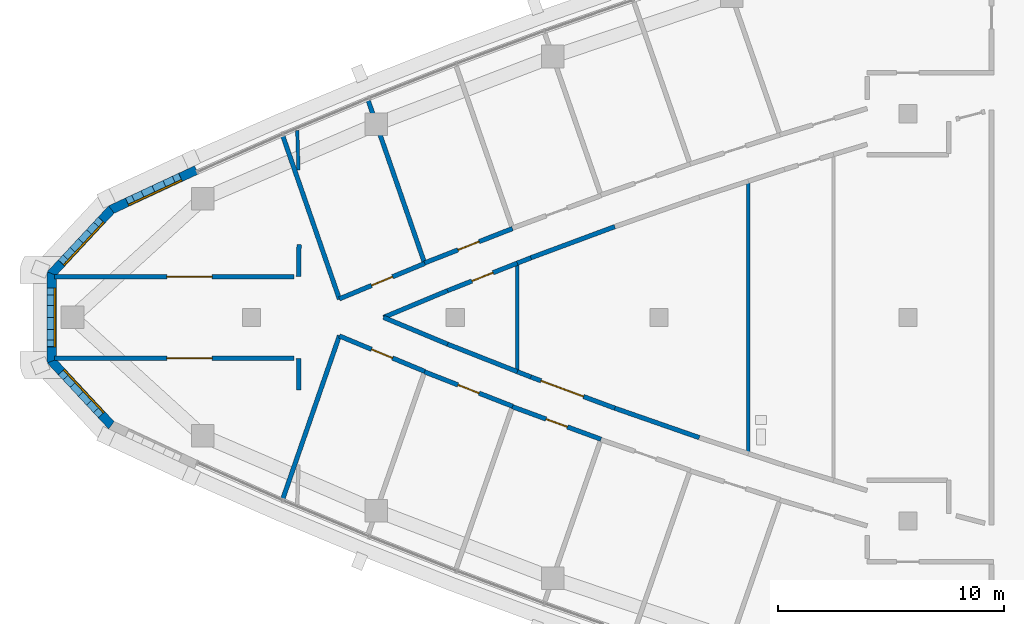
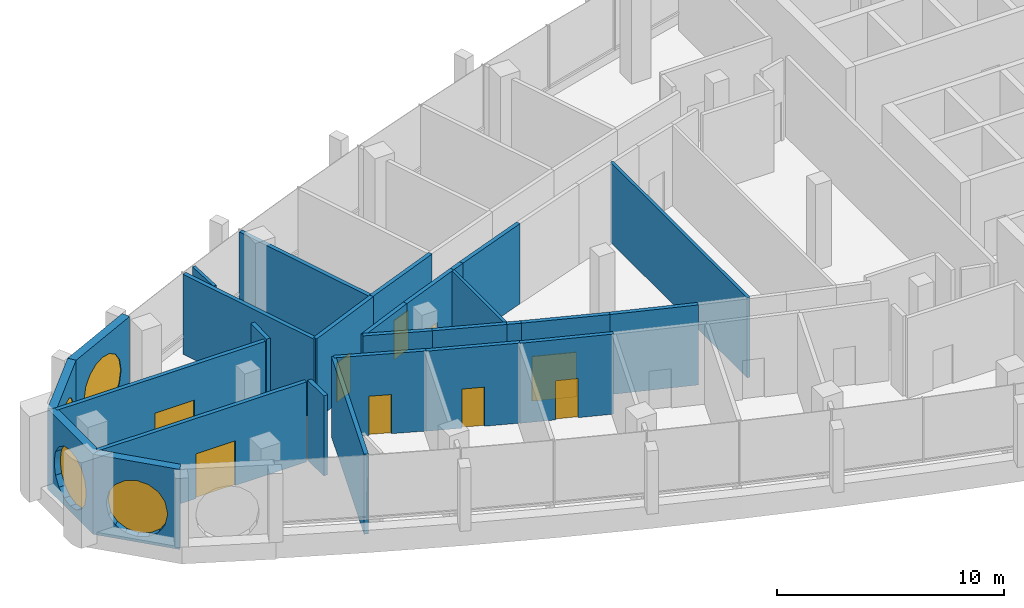
# One storey, part 7 of 15: 28 walls, 9 doors, 4 windows, 13 openings.
"""IFC4 building model written with IfcOpenShell, lengths in metres."""

from ifc_helpers import new_model, si_unit, direction, frame, frame_2d, origin, place, context, subcontext, project, spatial, polyline, rectangle, outline, extrude, material, layer, layer_set, type_object, element, fill, save


model = new_model("IFC4")

# Units and contexts
model_context = context("Model", 3, precision=1e-05, world=origin(), true_north=direction((0.0, 1.0)))
body_context = subcontext(model_context, "Body", "Model", "MODEL_VIEW")
ifc_project = project(units=[si_unit("LENGTHUNIT", "METRE"), si_unit("AREAUNIT", "SQUARE_METRE"), si_unit("VOLUMEUNIT", "CUBIC_METRE"), si_unit("PLANEANGLEUNIT", "RADIAN"), si_unit("MASSUNIT", "GRAM", prefix="KILO")], contexts=[model_context])

# Site, building, storey
site_placement = place(None, origin())
site = spatial("IfcSite", under=ifc_project, at=site_placement, CompositionType="ELEMENT")
building_placement = place(site_placement, origin())
building = spatial("IfcBuilding", under=site, at=building_placement, Name="Ostrand Prow Hotel Tower", CompositionType="ELEMENT")
storey_placement = place(building_placement, frame((0.0, 0.0, 308.60009765625)))
storey = spatial("IfcBuildingStorey", under=building, at=storey_placement, Name="C1", CompositionType="ELEMENT", Elevation=308.60009765625)

# Walls
ifc_material_1 = material(Name="Plasterboard partition")
ifc_layer_1 = layer(ifc_material_1, 0.14990234375)
ifc_layer_set_1 = layer_set([ifc_layer_1], Name="Plasterboard partition")
wall_type_1 = type_object("IfcWallType", Name="Partition 150 room partition", PredefinedType="PARTITIONING", material=ifc_layer_set_1)
wall_1_placement = place(storey_placement, frame((27.74072265625, -2.3974609375, 0.0), z_axis=(0.0, 0.0, 1.0), x_axis=(0.0, 1.0, 0.0)))
element("IfcWall", 1, at=wall_1_placement, inside=storey, type_object=wall_type_1, Name="ROOM PARTITION", PredefinedType="PARTITIONING", context=body_context, shape_type="SweptSolid", body=[
    extrude(rectangle(XDim=4.794921875, YDim=0.14990234375, at=frame_2d((2.3974609375, 0.0))), origin(), (0.0, 0.0, 1.0), 4.2998046875),
])
wall_2_placement = place(storey_placement, frame((37.95166015625, -6.02001953125, 0.0), z_axis=(0.0, 0.0, 1.0), x_axis=(0.0, 1.0, 0.0)))
element("IfcWall", 2, at=wall_2_placement, inside=storey, type_object=wall_type_1, Name="ROOM PARTITION", PredefinedType="PARTITIONING", context=body_context, shape_type="SweptSolid", body=[
    extrude(rectangle(XDim=12.0400390625, YDim=0.14990234375, at=frame_2d((6.02001953125, 0.0))), origin(), (0.0, 0.0, 1.0), 4.2998046875),
])
wall_3_placement = place(storey_placement, frame((18.016357421875, 8.268310546875, 0.0), z_axis=(0.0, 0.0, 1.0), x_axis=(0.031386501995, -0.999507322381, 0.0)))
element("IfcWall", 3, at=wall_3_placement, inside=storey, type_object=wall_type_1, Name="ROOM PARTITION", PredefinedType="PARTITIONING", context=body_context, shape_type="SweptSolid", body=[
    extrude(rectangle(XDim=1.758056640625, YDim=0.14990234375, at=frame_2d((0.87890625, 0.0))), origin(), (0.0, 0.0, 1.0), 4.2998046875),
])

# Wall, opening, door
ifc_material_2 = material(Name="Plasterboard partition")
ifc_layer_2 = layer(ifc_material_2, 0.199951171875)
ifc_layer_set_2 = layer_set([ifc_layer_2], Name="Plasterboard partition")
wall_type_2 = type_object("IfcWallType", Name="Partition 200 corridor wall", PredefinedType="PARTITIONING", material=ifc_layer_set_2)
wall_4_placement = place(storey_placement, frame((7.287109375, 1.800048828125, 0.0), z_axis=(0.0, 0.0, 1.0), x_axis=(1.0, 0.0, 0.0)))
wall_4 = element("IfcWall", 4, at=wall_4_placement, inside=storey, type_object=wall_type_2, Name="CORRIDOR WALL", PredefinedType="PARTITIONING", context=body_context, shape_type="SweptSolid", body=[
    extrude(rectangle(XDim=10.58447265625, YDim=0.199951171875, at=frame_2d((5.292236328125, 0.0))), origin(), (0.0, 0.0, 1.0), 4.2998046875),
])
opening_1_placement = place(wall_4_placement, frame((4.967041015625, 0.0, 0.0)))
opening_1 = element("IfcOpeningElement", 5, at=opening_1_placement, cuts=wall_4, Name="Opening D20", PredefinedType="OPENING", context=body_context, shape_type="SweptSolid", body=[
    extrude(rectangle(XDim=2.0, YDim=2.39990234375, at=frame_2d((1.0, 1.199951171875))), frame((0.0, 0.10986328125, 0.0), z_axis=(0.0, -1.0, 0.0), x_axis=(1.0, 0.0, 0.0)), (0.0, 0.0, 1.0), 0.219970703125),
])
ifc_material_3 = material(Name="Timber door leaf", Category="wood")
door_type_1 = type_object("IfcDoorType", Name="Double door 2000", OperationType="DOUBLE_DOOR_SINGLE_SWING", PredefinedType="DOOR", material=ifc_material_3)
door_1_placement = place(opening_1_placement, origin())
door_1 = element("IfcDoor", 6, at=door_1_placement, inside=storey, type_object=door_type_1, Name="DOOR", OperationType="DOUBLE_DOOR_SINGLE_SWING", OverallHeight=2.39990234375, OverallWidth=2.0, PredefinedType="DOOR", context=body_context, shape_type="SweptSolid", body=[
    extrude(rectangle(XDim=2.0, YDim=2.39990234375, at=frame_2d((1.0, 1.199951171875))), frame((0.0, 0.02490234375, 0.0), z_axis=(0.0, -1.0, 0.0), x_axis=(1.0, 0.0, 0.0)), (0.0, 0.0, 1.0), 0.050048828125),
])
fill(opening_1, door_1)

wall_5_placement = place(storey_placement, frame((7.287109375, -1.800048828125, 0.0), z_axis=(0.0, 0.0, 1.0), x_axis=(1.0, 0.0, 0.0)))
wall_5 = element("IfcWall", 7, at=wall_5_placement, inside=storey, type_object=wall_type_2, Name="CORRIDOR WALL", PredefinedType="PARTITIONING", context=body_context, shape_type="SweptSolid", body=[
    extrude(rectangle(XDim=10.58447265625, YDim=0.199951171875, at=frame_2d((5.292236328125, 0.0))), origin(), (0.0, 0.0, 1.0), 4.2998046875),
])
opening_2_placement = place(wall_5_placement, frame((4.967041015625, 0.0, 0.0)))
opening_2 = element("IfcOpeningElement", 8, at=opening_2_placement, cuts=wall_5, Name="Opening D20", PredefinedType="OPENING", context=body_context, shape_type="SweptSolid", body=[
    extrude(rectangle(XDim=2.0, YDim=2.39990234375, at=frame_2d((1.0, 1.199951171875))), frame((0.0, 0.10986328125, 0.0), z_axis=(0.0, -1.0, 0.0), x_axis=(1.0, 0.0, 0.0)), (0.0, 0.0, 1.0), 0.219970703125),
])
door_2_placement = place(opening_2_placement, origin())
door_2 = element("IfcDoor", 9, at=door_2_placement, inside=storey, type_object=door_type_1, Name="DOOR", OperationType="DOUBLE_DOOR_SINGLE_SWING", OverallHeight=2.39990234375, OverallWidth=2.0, PredefinedType="DOOR", context=body_context, shape_type="SweptSolid", body=[
    extrude(rectangle(XDim=2.0, YDim=2.39990234375, at=frame_2d((1.0, 1.199951171875))), frame((0.0, 0.02490234375, 0.0), z_axis=(0.0, -1.0, 0.0), x_axis=(1.0, 0.0, 0.0)), (0.0, 0.0, 1.0), 0.050048828125),
])
fill(opening_2, door_2)

wall_6_placement = place(storey_placement, frame((19.876708984375, 0.819091796875, 0.0), z_axis=(0.0, 0.0, 1.0), x_axis=(0.923511375565, 0.383571035405, 0.0)))
wall_6 = element("IfcWall", 10, at=wall_6_placement, inside=storey, type_object=wall_type_2, Name="CORRIDOR WALL", PredefinedType="PARTITIONING", context=body_context, shape_type="SweptSolid", body=[
    extrude(rectangle(XDim=4.08447265625, YDim=0.199951171875, at=frame_2d((2.042236328125, 0.0))), origin(), (0.0, 0.0, 1.0), 4.2998046875),
])
opening_3_placement = place(wall_6_placement, frame((1.542236328125, 0.0, 0.0)))
opening_3 = element("IfcOpeningElement", 11, at=opening_3_placement, cuts=wall_6, Name="Opening D1", PredefinedType="OPENING", context=body_context, shape_type="SweptSolid", body=[
    extrude(rectangle(XDim=1.0, YDim=2.10009765625, at=frame_2d((0.5, 1.050048828125))), frame((0.0, 0.10986328125, 0.0), z_axis=(0.0, -1.0, 0.0), x_axis=(1.0, 0.0, 0.0)), (0.0, 0.0, 1.0), 0.219970703125),
])
ifc_material_4 = material(Name="Timber door leaf", Category="wood")
door_type_2 = type_object("IfcDoorType", Name="Guest room door 1000", OperationType="SINGLE_SWING_LEFT", PredefinedType="DOOR", material=ifc_material_4)
door_3_placement = place(opening_3_placement, origin())
door_3 = element("IfcDoor", 12, at=door_3_placement, inside=storey, type_object=door_type_2, Name="DOOR", OperationType="SINGLE_SWING_LEFT", OverallHeight=2.10009765625, OverallWidth=1.0, PredefinedType="DOOR", context=body_context, shape_type="SweptSolid", body=[
    extrude(rectangle(XDim=1.0, YDim=2.10009765625, at=frame_2d((0.5, 1.050048828125))), frame((0.0, 0.02490234375, 0.0), z_axis=(0.0, -1.0, 0.0), x_axis=(1.0, 0.0, 0.0)), (0.0, 0.0, 1.0), 0.050048828125),
])
fill(opening_3, door_3)

wall_7_placement = place(storey_placement, frame((23.642333984375, 2.40478515625, 0.0), z_axis=(0.0, 0.0, 1.0), x_axis=(0.9311815176, 0.364555868532, 0.0)))
wall_7 = element("IfcWall", 13, at=wall_7_placement, inside=storey, type_object=wall_type_2, Name="CORRIDOR WALL", PredefinedType="PARTITIONING", context=body_context, shape_type="SweptSolid", body=[
    extrude(rectangle(XDim=4.175537109375, YDim=0.199951171875, at=frame_2d((2.087890625, 0.0))), origin(), (0.0, 0.0, 1.0), 4.2998046875),
])
opening_4_placement = place(wall_7_placement, frame((1.587890625, 0.0, 0.0)))
opening_4 = element("IfcOpeningElement", 14, at=opening_4_placement, cuts=wall_7, Name="Opening D1R", PredefinedType="OPENING", context=body_context, shape_type="SweptSolid", body=[
    extrude(rectangle(XDim=1.0, YDim=2.10009765625, at=frame_2d((0.5, 1.050048828125))), frame((0.0, 0.10986328125, 0.0), z_axis=(0.0, -1.0, 0.0), x_axis=(1.0, 0.0, 0.0)), (0.0, 0.0, 1.0), 0.219970703125),
])
ifc_material_5 = material(Name="Timber door leaf", Category="wood")
door_type_3 = type_object("IfcDoorType", Name="Guest room door 1000 right", OperationType="SINGLE_SWING_RIGHT", PredefinedType="DOOR", material=ifc_material_5)
door_4_placement = place(opening_4_placement, origin())
door_4 = element("IfcDoor", 15, at=door_4_placement, inside=storey, type_object=door_type_3, Name="DOOR", OperationType="SINGLE_SWING_RIGHT", OverallHeight=2.10009765625, OverallWidth=1.0, PredefinedType="DOOR", context=body_context, shape_type="SweptSolid", body=[
    extrude(rectangle(XDim=1.0, YDim=2.10009765625, at=frame_2d((0.5, 1.050048828125))), frame((0.0, 0.02490234375, 0.0), z_axis=(0.0, -1.0, 0.0), x_axis=(1.0, 0.0, 0.0)), (0.0, 0.0, 1.0), 0.050048828125),
])
fill(opening_4, door_4)

wall_8_placement = place(storey_placement, frame((19.876708984375, -0.819091796875, 0.0), z_axis=(0.0, 0.0, 1.0), x_axis=(0.923511375565, -0.383571035405, 0.0)))
wall_8 = element("IfcWall", 16, at=wall_8_placement, inside=storey, type_object=wall_type_2, Name="CORRIDOR WALL", PredefinedType="PARTITIONING", context=body_context, shape_type="SweptSolid", body=[
    extrude(rectangle(XDim=4.08447265625, YDim=0.199951171875, at=frame_2d((2.042236328125, 0.0))), origin(), (0.0, 0.0, 1.0), 4.2998046875),
])
opening_5_placement = place(wall_8_placement, frame((1.542236328125, 0.0, 0.0)))
opening_5 = element("IfcOpeningElement", 17, at=opening_5_placement, cuts=wall_8, Name="Opening D1", PredefinedType="OPENING", context=body_context, shape_type="SweptSolid", body=[
    extrude(rectangle(XDim=1.0, YDim=2.10009765625, at=frame_2d((0.5, 1.050048828125))), frame((0.0, 0.10986328125, 0.0), z_axis=(0.0, -1.0, 0.0), x_axis=(1.0, 0.0, 0.0)), (0.0, 0.0, 1.0), 0.219970703125),
])
door_5_placement = place(opening_5_placement, origin())
door_5 = element("IfcDoor", 18, at=door_5_placement, inside=storey, type_object=door_type_2, Name="DOOR", OperationType="SINGLE_SWING_LEFT", OverallHeight=2.10009765625, OverallWidth=1.0, PredefinedType="DOOR", context=body_context, shape_type="SweptSolid", body=[
    extrude(rectangle(XDim=1.0, YDim=2.10009765625, at=frame_2d((0.5, 1.050048828125))), frame((0.0, 0.02490234375, 0.0), z_axis=(0.0, -1.0, 0.0), x_axis=(1.0, 0.0, 0.0)), (0.0, 0.0, 1.0), 0.050048828125),
])
fill(opening_5, door_5)

wall_9_placement = place(storey_placement, frame((23.642333984375, -2.40478515625, 0.0), z_axis=(0.0, 0.0, 1.0), x_axis=(0.9311815176, -0.364555868532, 0.0)))
wall_9 = element("IfcWall", 19, at=wall_9_placement, inside=storey, type_object=wall_type_2, Name="CORRIDOR WALL", PredefinedType="PARTITIONING", context=body_context, shape_type="SweptSolid", body=[
    extrude(rectangle(XDim=4.175537109375, YDim=0.199951171875, at=frame_2d((2.087890625, 0.0))), origin(), (0.0, 0.0, 1.0), 4.2998046875),
])
opening_6_placement = place(wall_9_placement, frame((1.587890625, 0.0, 0.0)))
opening_6 = element("IfcOpeningElement", 20, at=opening_6_placement, cuts=wall_9, Name="Opening D1R", PredefinedType="OPENING", context=body_context, shape_type="SweptSolid", body=[
    extrude(rectangle(XDim=1.0, YDim=2.10009765625, at=frame_2d((0.5, 1.050048828125))), frame((0.0, 0.10986328125, 0.0), z_axis=(0.0, -1.0, 0.0), x_axis=(1.0, 0.0, 0.0)), (0.0, 0.0, 1.0), 0.219970703125),
])
door_6_placement = place(opening_6_placement, origin())
door_6 = element("IfcDoor", 21, at=door_6_placement, inside=storey, type_object=door_type_3, Name="DOOR", OperationType="SINGLE_SWING_RIGHT", OverallHeight=2.10009765625, OverallWidth=1.0, PredefinedType="DOOR", context=body_context, shape_type="SweptSolid", body=[
    extrude(rectangle(XDim=1.0, YDim=2.10009765625, at=frame_2d((0.5, 1.050048828125))), frame((0.0, 0.02490234375, 0.0), z_axis=(0.0, -1.0, 0.0), x_axis=(1.0, 0.0, 0.0)), (0.0, 0.0, 1.0), 0.050048828125),
])
fill(opening_6, door_6)

wall_10_placement = place(storey_placement, frame((27.52392578125, -3.94580078125, 0.0), z_axis=(0.0, 0.0, 1.0), x_axis=(0.938626470437, -0.344935282329, 0.0)))
wall_10 = element("IfcWall", 22, at=wall_10_placement, inside=storey, type_object=wall_type_2, Name="CORRIDOR WALL", PredefinedType="PARTITIONING", context=body_context, shape_type="SweptSolid", body=[
    extrude(rectangle(XDim=4.173095703125, YDim=0.199951171875, at=frame_2d((2.08642578125, 0.0))), origin(), (0.0, 0.0, 1.0), 4.2998046875),
])
opening_7_placement = place(wall_10_placement, frame((1.58642578125, 0.0, 0.0)))
opening_7 = element("IfcOpeningElement", 23, at=opening_7_placement, cuts=wall_10, Name="Opening D1", PredefinedType="OPENING", context=body_context, shape_type="SweptSolid", body=[
    extrude(rectangle(XDim=1.0, YDim=2.10009765625, at=frame_2d((0.5, 1.050048828125))), frame((0.0, 0.10986328125, 0.0), z_axis=(0.0, -1.0, 0.0), x_axis=(1.0, 0.0, 0.0)), (0.0, 0.0, 1.0), 0.219970703125),
])
door_7_placement = place(opening_7_placement, origin())
door_7 = element("IfcDoor", 24, at=door_7_placement, inside=storey, type_object=door_type_2, Name="DOOR", OperationType="SINGLE_SWING_LEFT", OverallHeight=2.10009765625, OverallWidth=1.0, PredefinedType="DOOR", context=body_context, shape_type="SweptSolid", body=[
    extrude(rectangle(XDim=1.0, YDim=2.10009765625, at=frame_2d((0.5, 1.050048828125))), frame((0.0, 0.02490234375, 0.0), z_axis=(0.0, -1.0, 0.0), x_axis=(1.0, 0.0, 0.0)), (0.0, 0.0, 1.0), 0.050048828125),
])
fill(opening_7, door_7)

wall_11_placement = place(storey_placement, frame((24.661376953125, 1.18310546875, 0.0), z_axis=(0.0, 0.0, 1.0), x_axis=(0.930276475833, 0.366859208023, 0.0)))
wall_11 = element("IfcWall", 25, at=wall_11_placement, inside=storey, type_object=wall_type_2, Name="CORRIDOR WALL", PredefinedType="PARTITIONING", context=body_context, shape_type="SweptSolid", body=[
    extrude(rectangle(XDim=3.31005859375, YDim=0.199951171875, at=frame_2d((1.655029296875, 0.0))), origin(), (0.0, 0.0, 1.0), 4.2998046875),
])
opening_8_placement = place(wall_11_placement, frame((1.155029296875, 0.0, 0.0)))
opening_8 = element("IfcOpeningElement", 26, at=opening_8_placement, cuts=wall_11, Name="Opening D1", PredefinedType="OPENING", context=body_context, shape_type="SweptSolid", body=[
    extrude(rectangle(XDim=1.0, YDim=2.10009765625, at=frame_2d((0.5, 1.050048828125))), frame((0.0, 0.10986328125, 0.0), z_axis=(0.0, -1.0, 0.0), x_axis=(1.0, 0.0, 0.0)), (0.0, 0.0, 1.0), 0.219970703125),
])
door_8_placement = place(opening_8_placement, origin())
door_8 = element("IfcDoor", 27, at=door_8_placement, inside=storey, type_object=door_type_2, Name="DOOR", OperationType="SINGLE_SWING_LEFT", OverallHeight=2.10009765625, OverallWidth=1.0, PredefinedType="DOOR", context=body_context, shape_type="SweptSolid", body=[
    extrude(rectangle(XDim=1.0, YDim=2.10009765625, at=frame_2d((0.5, 1.050048828125))), frame((0.0, 0.02490234375, 0.0), z_axis=(0.0, -1.0, 0.0), x_axis=(1.0, 0.0, 0.0)), (0.0, 0.0, 1.0), 0.050048828125),
])
fill(opening_8, door_8)

# Walls
for number, where, z_axis, x_axis, name in (
    (28, (24.661376953125, -1.18310546875, 0.0), (0.0, 0.0, 1.0), (-0.922730626167, 0.3854454456, 0.0), "CORRIDOR WALL"),
    (29, (21.8291015625, 0.0, 0.0), (0.0, 0.0, 1.0), (0.922730626167, 0.3854454456, 0.0), "CORRIDOR WALL"),
):
    element("IfcWall", number, at=place(storey_placement, frame(where, z_axis=z_axis, x_axis=x_axis)), inside=storey, type_object=wall_type_2, Name=name, PredefinedType="PARTITIONING", context=body_context, shape_type="SweptSolid", body=[
        extrude(rectangle(XDim=3.0693359375, YDim=0.199951171875, at=frame_2d((1.53466796875, 0.0))), origin(), (0.0, 0.0, 1.0), 4.2998046875),
    ])
wall_12_placement = place(storey_placement, frame((27.74072265625, -2.3974609375, 0.0), z_axis=(0.0, 0.0, 1.0), x_axis=(-0.930276475833, 0.366859208023, 0.0)))
element("IfcWall", 30, at=wall_12_placement, inside=storey, type_object=wall_type_2, Name="CORRIDOR WALL", PredefinedType="PARTITIONING", context=body_context, shape_type="SweptSolid", body=[
    extrude(rectangle(XDim=3.31005859375, YDim=0.199951171875, at=frame_2d((1.655029296875, 0.0))), origin(), (0.0, 0.0, 1.0), 4.2998046875),
])

# Wall, opening, door
wall_13_placement = place(storey_placement, frame((32.048583984375, -4.0107421875, 0.0), z_axis=(0.0, 0.0, 1.0), x_axis=(-0.937463259708, 0.348084237933, 0.0)))
wall_13 = element("IfcWall", 31, at=wall_13_placement, inside=storey, type_object=wall_type_2, Name="CORRIDOR WALL", PredefinedType="PARTITIONING", context=body_context, shape_type="SweptSolid", body=[
    extrude(rectangle(XDim=3.955078125, YDim=0.199951171875, at=frame_2d((1.9775390625, 0.0))), origin(), (0.0, 0.0, 1.0), 4.2998046875),
])
opening_9_placement = place(wall_13_placement, frame((1.4775390625, 0.0, 0.0)))
opening_9 = element("IfcOpeningElement", 32, at=opening_9_placement, cuts=wall_13, Name="Opening D20", PredefinedType="OPENING", context=body_context, shape_type="SweptSolid", body=[
    extrude(rectangle(XDim=2.0, YDim=2.39990234375, at=frame_2d((1.0, 1.199951171875))), frame((0.0, 0.10986328125, 0.0), z_axis=(0.0, -1.0, 0.0), x_axis=(1.0, 0.0, 0.0)), (0.0, 0.0, 1.0), 0.219970703125),
])
door_9_placement = place(opening_9_placement, origin())
door_9 = element("IfcDoor", 33, at=door_9_placement, inside=storey, type_object=door_type_1, Name="DOOR", OperationType="DOUBLE_DOOR_SINGLE_SWING", OverallHeight=2.39990234375, OverallWidth=2.0, PredefinedType="DOOR", context=body_context, shape_type="SweptSolid", body=[
    extrude(rectangle(XDim=2.0, YDim=2.39990234375, at=frame_2d((1.0, 1.199951171875))), frame((0.0, 0.02490234375, 0.0), z_axis=(0.0, -1.0, 0.0), x_axis=(1.0, 0.0, 0.0)), (0.0, 0.0, 1.0), 0.050048828125),
])
fill(opening_9, door_9)

# Walls
wall_14_placement = place(storey_placement, frame((35.783447265625, -5.312744140625, 0.0), z_axis=(0.0, 0.0, 1.0), x_axis=(-0.94426757098, 0.329178909402, 0.0)))
element("IfcWall", 34, at=wall_14_placement, inside=storey, type_object=wall_type_2, Name="CORRIDOR WALL", PredefinedType="PARTITIONING", context=body_context, shape_type="SweptSolid", body=[
    extrude(rectangle(XDim=3.955322265625, YDim=0.199951171875, at=frame_2d((1.9775390625, 0.0))), origin(), (0.0, 0.0, 1.0), 4.2998046875),
])
for number, where, z_axis, x_axis, name in (
    (35, (28.3408203125, -2.634033203125, 0.0), (0.0, 0.0, 1.0), (-0.930318406692, 0.366752862524, 0.0), "CORRIDOR WALL"),
    (36, (27.74072265625, 2.3974609375, 0.0), (0.0, 0.0, 1.0), (0.930318406692, 0.366752862524, 0.0), "CORRIDOR WALL"),
):
    element("IfcWall", number, at=place(storey_placement, frame(where, z_axis=z_axis, x_axis=x_axis)), inside=storey, type_object=wall_type_2, Name=name, PredefinedType="PARTITIONING", context=body_context, shape_type="SweptSolid", body=[
        extrude(rectangle(XDim=0.64501953125, YDim=0.199951171875, at=frame_2d((0.322509765625, 0.0))), origin(), (0.0, 0.0, 1.0), 4.2998046875),
    ])
wall_15_placement = place(storey_placement, frame((28.3408203125, 2.634033203125, 0.0), z_axis=(0.0, 0.0, 1.0), x_axis=(0.937463259708, 0.348084237933, 0.0)))
element("IfcWall", 37, at=wall_15_placement, inside=storey, type_object=wall_type_2, Name="CORRIDOR WALL", PredefinedType="PARTITIONING", context=body_context, shape_type="SweptSolid", body=[
    extrude(rectangle(XDim=3.955078125, YDim=0.199951171875, at=frame_2d((1.9775390625, 0.0))), origin(), (0.0, 0.0, 1.0), 4.2998046875),
])
wall_16_placement = place(storey_placement, frame((18.071533203125, 1.80810546875, 0.0), z_axis=(0.0, 0.0, 1.0), x_axis=(0.01756250826, 0.999845767258, 0.0)))
element("IfcWall", 38, at=wall_16_placement, inside=storey, type_object=wall_type_2, Name="CORRIDOR WALL", PredefinedType="PARTITIONING", context=body_context, shape_type="SweptSolid", body=[
    extrude(rectangle(XDim=1.404052734375, YDim=0.199951171875, at=frame_2d((0.7021484375, 0.0))), origin(), (0.0, 0.0, 1.0), 4.2998046875),
])
wall_17_placement = place(storey_placement, frame((18.09228515625, -3.21240234375, 0.0), z_axis=(0.0, 0.0, 1.0), x_axis=(-0.014775855466, 0.999890831089, 0.0)))
element("IfcWall", 39, at=wall_17_placement, inside=storey, type_object=wall_type_2, Name="CORRIDOR WALL", PredefinedType="PARTITIONING", context=body_context, shape_type="SweptSolid", body=[
    extrude(rectangle(XDim=1.404541015625, YDim=0.199951171875, at=frame_2d((0.7021484375, 0.0))), origin(), (0.0, 0.0, 1.0), 4.2998046875),
])
ifc_material_6 = material(Name="Plasterboard partition")
ifc_layer_3 = layer(ifc_material_6, 0.199951171875)
ifc_layer_set_3 = layer_set([ifc_layer_3], Name="Plasterboard partition")
wall_type_3 = type_object("IfcWallType", Name="Partition 200 key partition", PredefinedType="PARTITIONING", material=ifc_layer_set_3)
wall_18_placement = place(storey_placement, frame((19.88330078125, 0.800048828125, 0.0), z_axis=(0.0, 0.0, 1.0), x_axis=(-0.327720796798, 0.94477461828, 0.0)))
element("IfcWall", 40, at=wall_18_placement, inside=storey, type_object=wall_type_3, Name="KEY PARTITION", PredefinedType="PARTITIONING", context=body_context, shape_type="SweptSolid", body=[
    extrude(rectangle(XDim=7.62548828125, YDim=0.199951171875, at=frame_2d((3.812744140625, 0.0))), origin(), (0.0, 0.0, 1.0), 4.2998046875),
])
wall_19_placement = place(storey_placement, frame((23.648681640625, 2.3857421875, 0.0), z_axis=(0.0, 0.0, 1.0), x_axis=(-0.327708457606, 0.944778898374, 0.0)))
element("IfcWall", 41, at=wall_19_placement, inside=storey, type_object=wall_type_3, Name="KEY PARTITION", PredefinedType="PARTITIONING", context=body_context, shape_type="SweptSolid", body=[
    extrude(rectangle(XDim=7.614501953125, YDim=0.199951171875, at=frame_2d((3.80712890625, 0.0))), origin(), (0.0, 0.0, 1.0), 4.2998046875),
])
wall_20_placement = place(storey_placement, frame((17.38427734375, -8.00439453125, 0.0), z_axis=(0.0, 0.0, 1.0), x_axis=(0.327720796798, 0.94477461828, 0.0)))
element("IfcWall", 42, at=wall_20_placement, inside=storey, type_object=wall_type_3, Name="KEY PARTITION", PredefinedType="PARTITIONING", context=body_context, shape_type="SweptSolid", body=[
    extrude(rectangle(XDim=7.62548828125, YDim=0.199951171875, at=frame_2d((3.812744140625, 0.0))), origin(), (0.0, 0.0, 1.0), 4.2998046875),
])

# Wall, opening, window
ifc_material_7 = material(Name="Precast concrete C40/50", Category="concrete")
ifc_layer_4 = layer(ifc_material_7, 0.39990234375)
ifc_layer_set_4 = layer_set([ifc_layer_4], Name="Precast concrete C40/50")
wall_type_4 = type_object("IfcWallType", Name="Stone-faced precast wall 400 mm", PredefinedType="NOTDEFINED", material=ifc_layer_set_4)
wall_21_placement = place(storey_placement, frame((13.55859375, 6.5146484375, 0.0), z_axis=(0.0, 0.0, 1.0), x_axis=(-0.906485602396, -0.42223672584, 0.0)))
wall_21 = element("IfcWall", 43, at=wall_21_placement, inside=storey, type_object=wall_type_4, Name="Stone-faced wall prow 1", PredefinedType="NOTDEFINED", context=body_context, shape_type="SweptSolid", body=[
    extrude(outline(polyline([(0.0, -0.199951171875), (4.1806640625, -0.199951171875), (4.1025390625, 0.199951171875), (0.0, 0.199951171875), (0.0, -0.199951171875)])), origin(), (0.0, 0.0, 1.0), 4.2998046875),
])
opening_10_placement = place(wall_21_placement, frame((0.6708984375, 0.0, 0.300048828125)))
opening_10 = element("IfcOpeningElement", 44, at=opening_10_placement, cuts=wall_21, Name="Opening WO1", PredefinedType="OPENING", context=body_context, shape_type="SweptSolid", body=[
    extrude(outline(polyline([(0.0, 1.60009765625), (0.106689453125, 2.1357421875), (0.41015625, 2.58984375), (0.8642578125, 2.893310546875), (1.39990234375, 3.0), (1.935791015625, 2.893310546875), (2.389892578125, 2.58984375), (2.693359375, 2.1357421875), (2.800048828125, 1.60009765625), (2.800048828125, 1.39990234375), (2.693359375, 0.8642578125), (2.389892578125, 0.41015625), (1.935791015625, 0.106689453125), (1.39990234375, 0.0), (0.8642578125, 0.106689453125), (0.41015625, 0.41015625), (0.106689453125, 0.8642578125), (0.0, 1.39990234375), (0.0, 1.60009765625)])), frame((0.0, 0.2099609375, 0.0), z_axis=(0.0, -1.0, 0.0), x_axis=(1.0, 0.0, 0.0)), (0.0, 0.0, 1.0), 0.419921875),
])
ifc_material_8 = material(Name="Insulated glass in bronze frame", Category="glass")
window_type = type_object("IfcWindowType", Name="Observation deck prow window 2800x3000", PartitioningType="SINGLE_PANEL", PredefinedType="WINDOW", material=ifc_material_8)
window_1_placement = place(opening_10_placement, origin())
window_1 = element("IfcWindow", 45, at=window_1_placement, inside=storey, type_object=window_type, Name="Window prow 1.1", OverallHeight=3.0, OverallWidth=2.800048828125, PartitioningType="SINGLE_PANEL", PredefinedType="WINDOW", context=body_context, shape_type="SweptSolid", body=[
    extrude(outline(polyline([(0.0, 1.60009765625), (0.106689453125, 2.1357421875), (0.41015625, 2.58984375), (0.8642578125, 2.893310546875), (1.39990234375, 3.0), (1.935791015625, 2.893310546875), (2.389892578125, 2.58984375), (2.693359375, 2.1357421875), (2.800048828125, 1.60009765625), (2.800048828125, 1.39990234375), (2.693359375, 0.8642578125), (2.389892578125, 0.41015625), (1.935791015625, 0.106689453125), (1.39990234375, 0.0), (0.8642578125, 0.106689453125), (0.41015625, 0.41015625), (0.106689453125, 0.8642578125), (0.0, 1.39990234375), (0.0, 1.60009765625)])), frame((0.0, 0.169921875, 0.0), z_axis=(0.0, -1.0, 0.0), x_axis=(1.0, 0.0, 0.0)), (0.0, 0.0, 1.0), 0.06005859375),
])
fill(opening_10, window_1)

wall_22_placement = place(storey_placement, frame((9.80419921875, 4.765869140625, 0.0), z_axis=(0.0, 0.0, 1.0), x_axis=(-0.6815467277, -0.73177459505, 0.0)))
wall_22 = element("IfcWall", 46, at=wall_22_placement, inside=storey, type_object=wall_type_4, Name="Stone-faced wall prow 2", PredefinedType="NOTDEFINED", context=body_context, shape_type="SweptSolid", body=[
    extrude(outline(polyline([(-0.0390625, -0.199951171875), (3.94775390625, -0.199951171875), (3.79052734375, 0.199951171875), (0.0390625, 0.199951171875), (-0.0390625, -0.199951171875)])), origin(), (0.0, 0.0, 1.0), 4.2998046875),
])
opening_11_placement = place(wall_22_placement, frame((0.53466796875, 0.0, 0.300048828125)))
opening_11 = element("IfcOpeningElement", 47, at=opening_11_placement, cuts=wall_22, Name="Opening WO1", PredefinedType="OPENING", context=body_context, shape_type="SweptSolid", body=[
    extrude(outline(polyline([(0.0, 1.60009765625), (0.106689453125, 2.1357421875), (0.41015625, 2.58984375), (0.8642578125, 2.893310546875), (1.39990234375, 3.0), (1.935791015625, 2.893310546875), (2.389892578125, 2.58984375), (2.693359375, 2.1357421875), (2.800048828125, 1.60009765625), (2.800048828125, 1.39990234375), (2.693359375, 0.8642578125), (2.389892578125, 0.41015625), (1.935791015625, 0.106689453125), (1.39990234375, 0.0), (0.8642578125, 0.106689453125), (0.41015625, 0.41015625), (0.106689453125, 0.8642578125), (0.0, 1.39990234375), (0.0, 1.60009765625)])), frame((0.0, 0.2099609375, 0.0), z_axis=(0.0, -1.0, 0.0), x_axis=(1.0, 0.0, 0.0)), (0.0, 0.0, 1.0), 0.419921875),
])
window_2_placement = place(opening_11_placement, origin())
window_2 = element("IfcWindow", 48, at=window_2_placement, inside=storey, type_object=window_type, Name="Window prow 2.1", OverallHeight=3.0, OverallWidth=2.800048828125, PartitioningType="SINGLE_PANEL", PredefinedType="WINDOW", context=body_context, shape_type="SweptSolid", body=[
    extrude(outline(polyline([(0.0, 1.60009765625), (0.106689453125, 2.1357421875), (0.41015625, 2.58984375), (0.8642578125, 2.893310546875), (1.39990234375, 3.0), (1.935791015625, 2.893310546875), (2.389892578125, 2.58984375), (2.693359375, 2.1357421875), (2.800048828125, 1.60009765625), (2.800048828125, 1.39990234375), (2.693359375, 0.8642578125), (2.389892578125, 0.41015625), (1.935791015625, 0.106689453125), (1.39990234375, 0.0), (0.8642578125, 0.106689453125), (0.41015625, 0.41015625), (0.106689453125, 0.8642578125), (0.0, 1.39990234375), (0.0, 1.60009765625)])), frame((0.0, 0.169921875, 0.0), z_axis=(0.0, -1.0, 0.0), x_axis=(1.0, 0.0, 0.0)), (0.0, 0.0, 1.0), 0.06005859375),
])
fill(opening_11, window_2)

wall_23_placement = place(storey_placement, frame((7.167236328125, 1.9345703125, 0.0), z_axis=(0.0, 0.0, 1.0), x_axis=(0.0, -1.0, 0.0)))
wall_23 = element("IfcWall", 49, at=wall_23_placement, inside=storey, type_object=wall_type_4, Name="Stone-faced wall prow 3", PredefinedType="NOTDEFINED", context=body_context, shape_type="SweptSolid", body=[
    extrude(outline(polyline([(-0.07861328125, -0.199951171875), (3.94775390625, -0.199951171875), (3.79052734375, 0.199951171875), (0.07861328125, 0.199951171875), (-0.07861328125, -0.199951171875)])), origin(), (0.0, 0.0, 1.0), 4.2998046875),
])
opening_12_placement = place(wall_23_placement, frame((0.53466796875, 0.0, 0.300048828125)))
opening_12 = element("IfcOpeningElement", 50, at=opening_12_placement, cuts=wall_23, Name="Opening WO1", PredefinedType="OPENING", context=body_context, shape_type="SweptSolid", body=[
    extrude(outline(polyline([(0.0, 1.60009765625), (0.106689453125, 2.1357421875), (0.41015625, 2.58984375), (0.8642578125, 2.893310546875), (1.39990234375, 3.0), (1.935791015625, 2.893310546875), (2.389892578125, 2.58984375), (2.693359375, 2.1357421875), (2.800048828125, 1.60009765625), (2.800048828125, 1.39990234375), (2.693359375, 0.8642578125), (2.389892578125, 0.41015625), (1.935791015625, 0.106689453125), (1.39990234375, 0.0), (0.8642578125, 0.106689453125), (0.41015625, 0.41015625), (0.106689453125, 0.8642578125), (0.0, 1.39990234375), (0.0, 1.60009765625)])), frame((0.0, 0.2099609375, 0.0), z_axis=(0.0, -1.0, 0.0), x_axis=(1.0, 0.0, 0.0)), (0.0, 0.0, 1.0), 0.419921875),
])
window_3_placement = place(opening_12_placement, origin())
window_3 = element("IfcWindow", 51, at=window_3_placement, inside=storey, type_object=window_type, Name="Window prow 3.1", OverallHeight=3.0, OverallWidth=2.800048828125, PartitioningType="SINGLE_PANEL", PredefinedType="WINDOW", context=body_context, shape_type="SweptSolid", body=[
    extrude(outline(polyline([(0.0, 1.60009765625), (0.106689453125, 2.1357421875), (0.41015625, 2.58984375), (0.8642578125, 2.893310546875), (1.39990234375, 3.0), (1.935791015625, 2.893310546875), (2.389892578125, 2.58984375), (2.693359375, 2.1357421875), (2.800048828125, 1.60009765625), (2.800048828125, 1.39990234375), (2.693359375, 0.8642578125), (2.389892578125, 0.41015625), (1.935791015625, 0.106689453125), (1.39990234375, 0.0), (0.8642578125, 0.106689453125), (0.41015625, 0.41015625), (0.106689453125, 0.8642578125), (0.0, 1.39990234375), (0.0, 1.60009765625)])), frame((0.0, 0.169921875, 0.0), z_axis=(0.0, -1.0, 0.0), x_axis=(1.0, 0.0, 0.0)), (0.0, 0.0, 1.0), 0.06005859375),
])
fill(opening_12, window_3)

wall_24_placement = place(storey_placement, frame((7.167236328125, -1.9345703125, 0.0), z_axis=(0.0, 0.0, 1.0), x_axis=(0.6815467277, -0.73177459505, 0.0)))
wall_24 = element("IfcWall", 52, at=wall_24_placement, inside=storey, type_object=wall_type_4, Name="Stone-faced wall prow 4", PredefinedType="NOTDEFINED", context=body_context, shape_type="SweptSolid", body=[
    extrude(outline(polyline([(-0.07861328125, -0.199951171875), (3.908203125, -0.199951171875), (3.830078125, 0.199951171875), (0.07861328125, 0.199951171875), (-0.07861328125, -0.199951171875)])), origin(), (0.0, 0.0, 1.0), 4.2998046875),
])
opening_13_placement = place(wall_24_placement, frame((0.53466796875, 0.0, 0.300048828125)))
opening_13 = element("IfcOpeningElement", 53, at=opening_13_placement, cuts=wall_24, Name="Opening WO1", PredefinedType="OPENING", context=body_context, shape_type="SweptSolid", body=[
    extrude(outline(polyline([(0.0, 1.60009765625), (0.106689453125, 2.1357421875), (0.41015625, 2.58984375), (0.8642578125, 2.893310546875), (1.39990234375, 3.0), (1.935791015625, 2.893310546875), (2.389892578125, 2.58984375), (2.693359375, 2.1357421875), (2.800048828125, 1.60009765625), (2.800048828125, 1.39990234375), (2.693359375, 0.8642578125), (2.389892578125, 0.41015625), (1.935791015625, 0.106689453125), (1.39990234375, 0.0), (0.8642578125, 0.106689453125), (0.41015625, 0.41015625), (0.106689453125, 0.8642578125), (0.0, 1.39990234375), (0.0, 1.60009765625)])), frame((0.0, 0.2099609375, 0.0), z_axis=(0.0, -1.0, 0.0), x_axis=(1.0, 0.0, 0.0)), (0.0, 0.0, 1.0), 0.419921875),
])
window_4_placement = place(opening_13_placement, origin())
window_4 = element("IfcWindow", 54, at=window_4_placement, inside=storey, type_object=window_type, Name="Window prow 4.1", OverallHeight=3.0, OverallWidth=2.800048828125, PartitioningType="SINGLE_PANEL", PredefinedType="WINDOW", context=body_context, shape_type="SweptSolid", body=[
    extrude(outline(polyline([(0.0, 1.60009765625), (0.106689453125, 2.1357421875), (0.41015625, 2.58984375), (0.8642578125, 2.893310546875), (1.39990234375, 3.0), (1.935791015625, 2.893310546875), (2.389892578125, 2.58984375), (2.693359375, 2.1357421875), (2.800048828125, 1.60009765625), (2.800048828125, 1.39990234375), (2.693359375, 0.8642578125), (2.389892578125, 0.41015625), (1.935791015625, 0.106689453125), (1.39990234375, 0.0), (0.8642578125, 0.106689453125), (0.41015625, 0.41015625), (0.106689453125, 0.8642578125), (0.0, 1.39990234375), (0.0, 1.60009765625)])), frame((0.0, 0.169921875, 0.0), z_axis=(0.0, -1.0, 0.0), x_axis=(1.0, 0.0, 0.0)), (0.0, 0.0, 1.0), 0.06005859375),
])
fill(opening_13, window_4)

save(model, "model.ifc")
